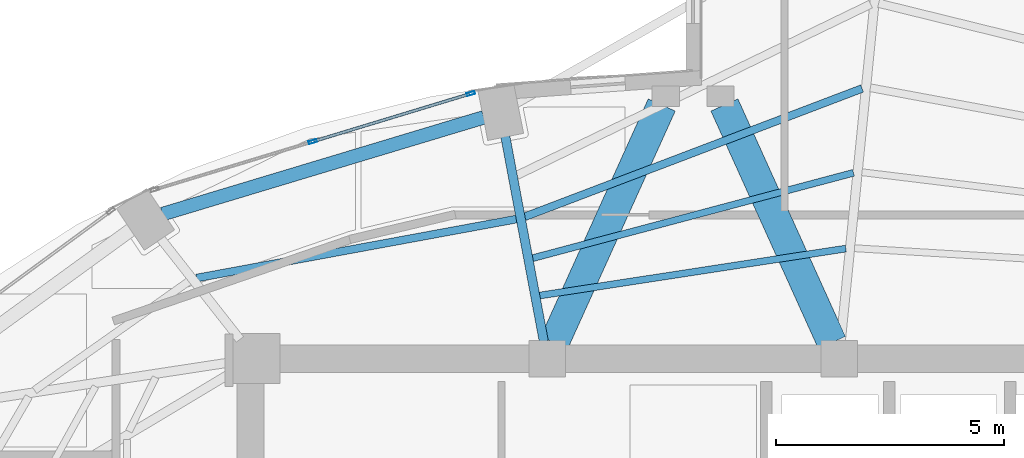
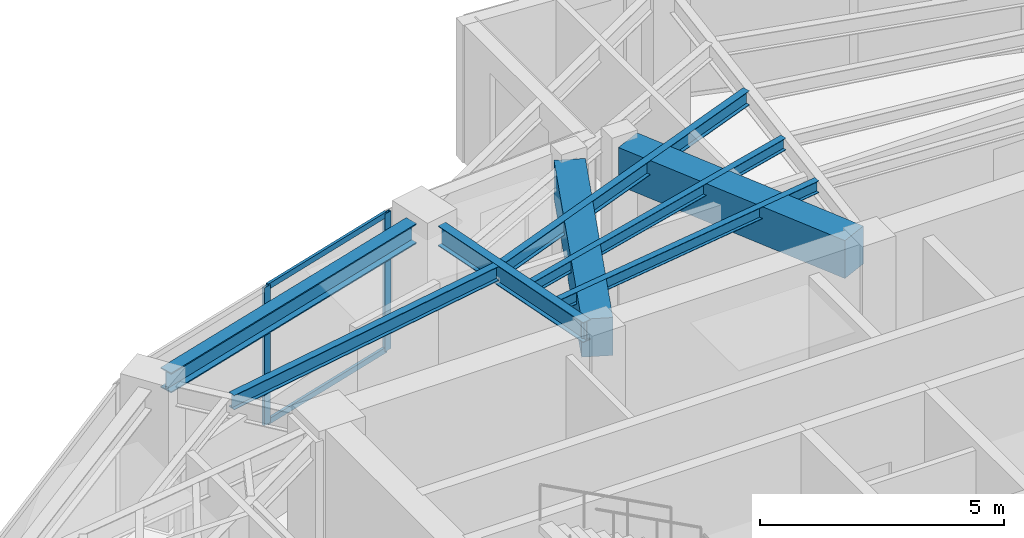
# One storey, part 11 of 22: 8 beams, 4 members, 1 element without a shape of its own.
"""IFC4 building model written with IfcOpenShell, lengths in metres."""

import ifcopenshell
import ifcopenshell.guid

model = None  # the IFC model being written
_history = None  # IfcOwnerHistory: only IFC2X3 demands one
_inside = {}  # id of a spatial element -> (the spatial element, [elements in it])
_under = {}  # id of a project, library or spatial element -> (it, [spatial elements below it])
_declared = {}  # id of a project -> (the project, [libraries it declares])
_typed = {}  # id of a type object -> (the type object, [elements of that type])
_made_of = {}  # id of a material, layer set ... -> (it, [elements and type objects made of it])


def new_model(schema):
    """Start an empty IFC model of exactly this schema.

    Asked for "IFC4X3", IfcOpenShell would pick the latest addendum, in which some entities
    have other attributes; the version numbers below select the first issue.
    IFC2X3 requires an IfcOwnerHistory on every rooted entity: one is made here for all.
    """
    global model, _history
    if schema == "IFC4X3":
        model = ifcopenshell.file(schema_version=(4, 3, 0, 0))
    else:
        model = ifcopenshell.file(schema=schema)
    _inside.clear()
    _under.clear()
    _declared.clear()
    _typed.clear()
    _made_of.clear()
    _history = None
    if model.schema == "IFC2X3":
        org = make("IfcOrganization", Name="unknown")
        user = make(
            "IfcPersonAndOrganization",
            ThePerson=make("IfcPerson", FamilyName="unknown"),
            TheOrganization=org,
        )
        app = make(
            "IfcApplication",
            ApplicationDeveloper=org,
            Version="unknown",
            ApplicationFullName="unknown",
            ApplicationIdentifier="unknown",
        )
        _history = make(
            "IfcOwnerHistory",
            OwningUser=user,
            OwningApplication=app,
            ChangeAction="ADDED",
            CreationDate=0,
        )
    return model


def make(cls, **values):
    """One entity of the class cls with the attributes given. An attribute that is None is left unset."""
    return model.create_entity(
        cls, **{name: value for name, value in values.items() if value is not None}
    )


def rooted(cls, **values):
    """An entity with a GlobalId (a new one), such as an element, a storey or a relation."""
    return make(cls, GlobalId=ifcopenshell.guid.new(), OwnerHistory=_history, **values)


def si_unit(unit_type, name, prefix=None):
    """IfcSIUnit, for example si_unit("LENGTHUNIT", "METRE", prefix="MILLI")."""
    return make("IfcSIUnit", UnitType=unit_type, Prefix=prefix, Name=name)


def assignment(units):
    """IfcUnitAssignment: the units of a project."""
    return None if units is None else make("IfcUnitAssignment", Units=units)


def point(xyz):
    """IfcCartesianPoint."""
    return None if xyz is None else make("IfcCartesianPoint", Coordinates=xyz)


def direction(xyz):
    """IfcDirection."""
    return None if xyz is None else make("IfcDirection", DirectionRatios=xyz)


def frame(location, z_axis=None, x_axis=None):
    """IfcAxis2Placement3D, a coordinate frame: its origin and axes. An axis left out is left unset."""
    return make(
        "IfcAxis2Placement3D",
        Location=point(location),
        Axis=direction(z_axis),
        RefDirection=direction(x_axis),
    )


def frame_2d(location, x_axis=None):
    """IfcAxis2Placement2D, a coordinate frame in the plane: its origin and x axis."""
    return make(
        "IfcAxis2Placement2D", Location=point(location), RefDirection=direction(x_axis)
    )


def origin():
    """The frame at (0, 0, 0) with its axes left unset."""
    return frame((0.0, 0.0, 0.0))


def origin_2d():
    """The frame at (0, 0) in the plane with its x axis left unset."""
    return frame_2d((0.0, 0.0))


def place(relative_to, where):
    """IfcLocalPlacement: puts the frame where relative to a parent placement (None: the world)."""
    return make(
        "IfcLocalPlacement", PlacementRelTo=relative_to, RelativePlacement=where
    )


def context(
    kind, dimensions, precision=None, world=None, true_north=None, identifier=None
):
    """IfcGeometricRepresentationContext, for example the 3D "Model" context."""
    return make(
        "IfcGeometricRepresentationContext",
        ContextIdentifier=identifier,
        ContextType=kind,
        CoordinateSpaceDimension=dimensions,
        Precision=precision,
        WorldCoordinateSystem=world,
        TrueNorth=true_north,
    )


def subcontext(parent, identifier, kind, view, scale=None):
    """IfcGeometricRepresentationSubContext, for example "Body" below "Model"."""
    return make(
        "IfcGeometricRepresentationSubContext",
        ContextIdentifier=identifier,
        ContextType=kind,
        ParentContext=parent,
        TargetScale=scale,
        TargetView=view,
    )


def project(units=None, contexts=None):
    """IfcProject with its units and contexts."""
    return rooted(
        "IfcProject",
        Name="project",
        RepresentationContexts=contexts,
        UnitsInContext=assignment(units),
    )


def spatial(cls, under=None, at=None, **own):
    """A site, building, storey or space (cls), placed at a placement, below another one or the project."""
    s = rooted(cls, ObjectPlacement=at, **own)
    if under is not None:
        _under.setdefault(under.id(), (under, []))[1].append(s)
    return s


def profile(cls, at=None, kind="AREA", **sizes):
    """A parametric profile (cls). Its sizes go by their IFC names, for example OverallWidth=200.0."""
    return make(cls, ProfileType=kind, Position=at, **sizes)


def rectangle(**sizes):
    """IfcRectangleProfileDef."""
    return profile("IfcRectangleProfileDef", **sizes)


def hollow_rectangle(**sizes):
    """IfcRectangleHollowProfileDef."""
    return profile("IfcRectangleHollowProfileDef", **sizes)


def i_section(**sizes):
    """IfcIShapeProfileDef."""
    return profile("IfcIShapeProfileDef", **sizes)


def extrude(swept, where, along, depth):
    """IfcExtrudedAreaSolid: the profile swept, set in the frame where, extruded along a direction by depth."""
    return make(
        "IfcExtrudedAreaSolid",
        SweptArea=swept,
        Position=where,
        ExtrudedDirection=direction(along),
        Depth=depth,
    )


def shape(context_of_items, identifier, shape_type, items):
    """IfcShapeRepresentation: the items that make up one representation, for example the "Body"."""
    return make(
        "IfcShapeRepresentation",
        ContextOfItems=context_of_items,
        RepresentationIdentifier=identifier,
        RepresentationType=shape_type,
        Items=items,
    )


def material(Name=None, Category=None):
    """IfcMaterial."""
    return make("IfcMaterial", Name=Name, Category=Category)


def layer(
    of_material, thickness, ventilated=None, Name=None, Category=None, Priority=None
):
    """IfcMaterialLayer: one layer of a wall or slab, of a material (None: an air gap)."""
    return make(
        "IfcMaterialLayer",
        Material=of_material,
        LayerThickness=thickness,
        IsVentilated=ventilated,
        Name=Name,
        Category=Category,
        Priority=Priority,
    )


def layer_set(layers, Name=None):
    """IfcMaterialLayerSet."""
    return make("IfcMaterialLayerSet", MaterialLayers=layers, LayerSetName=Name)


def material_profile(
    of_material, cross_section, Name=None, Category=None, Priority=None
):
    """IfcMaterialProfile: a cross section and its material."""
    return make(
        "IfcMaterialProfile",
        Name=Name,
        Material=of_material,
        Profile=cross_section,
        Priority=Priority,
        Category=Category,
    )


def profile_set(profiles, Name=None, composite=None):
    """IfcMaterialProfileSet."""
    return make(
        "IfcMaterialProfileSet",
        Name=Name,
        MaterialProfiles=profiles,
        CompositeProfile=composite,
    )


def made_of(thing, what):
    """Note that an element or type object is made of a material, layer set ...; save() writes the relation."""
    if what is not None:
        _made_of.setdefault(what.id(), (what, []))[1].append(thing)
    return thing


def type_object(cls, material=None, **own):
    """A type object (cls), such as IfcWallType, which elements share."""
    return made_of(rooted(cls, **own), material)


def element(
    cls,
    number,
    at=None,
    inside=None,
    cuts=None,
    type_object=None,
    material=None,
    context=None,
    identifier="Body",
    shape_type=None,
    held_by="IfcProductDefinitionShape",
    body=None,
    shapes=None,
    **own,
):
    """One element of the class cls, such as IfcWall. Its Tag is "e" and its number.

    at: its placement. inside: the storey or other place that contains it. cuts: it is an
    opening in that element (IfcRelVoidsElement). A single representation is given by context,
    identifier, shape_type and body (its items); several are given by shapes. held_by: the class
    of the entity that holds the representations. save() writes the other relations.
    """
    e = rooted(cls, Tag="e%d" % number, ObjectPlacement=at, **own)
    if body is not None:
        shapes = [shape(context, identifier, shape_type, body)]
    if shapes is not None:
        e.Representation = make(held_by, Representations=shapes)
    if inside is not None:
        _inside.setdefault(inside.id(), (inside, []))[1].append(e)
    if cuts is not None:
        rooted(
            "IfcRelVoidsElement", RelatingBuildingElement=cuts, RelatedOpeningElement=e
        )
    if type_object is not None:
        _typed.setdefault(type_object.id(), (type_object, []))[1].append(e)
    return made_of(e, material)


def aggregate(whole, parts):
    """IfcRelAggregates: a whole, such as a stair, and the parts it consists of."""
    return rooted("IfcRelAggregates", RelatingObject=whole, RelatedObjects=parts)


def save(model, path):
    """Write the relations noted so far, then the file.

    IfcRelAggregates (storeys below a building ...), IfcRelContainedInSpatialStructure (elements
    in a storey), IfcRelDefinesByType, IfcRelAssociatesMaterial and IfcRelDeclares: one each for
    every whole, place, type object, material and project.
    """
    for whole, parts in _under.values():
        aggregate(whole, parts)
    for where, things in _inside.values():
        rooted(
            "IfcRelContainedInSpatialStructure",
            RelatedElements=things,
            RelatingStructure=where,
        )
    for kind, things in _typed.values():
        rooted("IfcRelDefinesByType", RelatedObjects=things, RelatingType=kind)
    for what, things in _made_of.values():
        rooted("IfcRelAssociatesMaterial", RelatedObjects=things, RelatingMaterial=what)
    for by, libraries in _declared.values():
        rooted("IfcRelDeclares", RelatingContext=by, RelatedDefinitions=libraries)
    model.write(path)


model = new_model("IFC4")

# Units and contexts
model_context = context("Model", 3, precision=1e-05, world=origin(), true_north=direction((0.0, 1.0)))
body_context = subcontext(model_context, "Body", "Model", "MODEL_VIEW")
ifc_project = project(units=[si_unit("LENGTHUNIT", "METRE"), si_unit("AREAUNIT", "SQUARE_METRE"), si_unit("VOLUMEUNIT", "CUBIC_METRE"), si_unit("PLANEANGLEUNIT", "RADIAN"), si_unit("MASSUNIT", "GRAM", prefix="KILO")], contexts=[model_context])

# Site, building, storey
site_placement = place(None, origin())
site = spatial("IfcSite", under=ifc_project, at=site_placement, CompositionType="ELEMENT")
building_placement = place(site_placement, origin())
building = spatial("IfcBuilding", under=site, at=building_placement, Name="Lazwardi Medical Tower", CompositionType="ELEMENT")
storey_placement = place(building_placement, frame((0.0, 0.0, 227.6640625)))
storey = spatial("IfcBuildingStorey", under=building, at=storey_placement, Name="L59", CompositionType="ELEMENT", Elevation=227.6640625)

# Beams
ifc_material_1 = material(Name="Concrete C60/75", Category="concrete")
ifc_material_profile_1 = material_profile(ifc_material_1, rectangle(XDim=0.64990234375, YDim=0.949951171875, at=origin_2d()), Name="RC 650x950")
ifc_profile_set_1 = profile_set([ifc_material_profile_1], Name="Concrete C60/75")
beam_type_1 = type_object("IfcBeamType", Name="BM-CB-RC2", PredefinedType="LINTEL", material=ifc_profile_set_1)
for number, where, z_axis, x_axis, name in (
    (1, (32.95849609375, 35.95068359375, 2.972900390625), (0.412019279944, 0.911175127489, 0.0), (-0.911175127489, 0.412019279944, 0.0), "Core coupling lintel CB-02 PL1 L59"),
    (2, (39.04150390625, 35.95068359375, 2.972900390625), (-0.412019279944, 0.911175127489, 0.0), (-0.911175127489, -0.412019279944, 0.0), "Core coupling lintel CB-02 PL2 L59"),
):
    element("IfcBeam", number, at=place(storey_placement, frame(where, z_axis=z_axis, x_axis=x_axis)), inside=storey, type_object=beam_type_1, Name=name, PredefinedType="LINTEL", context=body_context, shape_type="SweptSolid", body=[
        extrude(rectangle(XDim=0.64990234375, YDim=0.949951171875, at=origin_2d()), origin(), (0.0, 0.0, 1.0), 5.7158203125),
    ])
ifc_material_2 = material(Name="Steel S355", Category="steel")
ifc_material_profile_2 = material_profile(ifc_material_2, i_section(OverallWidth=0.300048828125, OverallDepth=0.5, WebThickness=0.014404296875, FlangeThickness=0.028076171875, at=origin_2d()), Name="HEB 500")
ifc_profile_set_2 = profile_set([ifc_material_profile_2], Name="Steel S355")
beam_type_2 = type_object("IfcBeamType", Name="BM-RB-Z4", PredefinedType="BEAM", material=ifc_profile_set_2)
beam_1_placement = place(storey_placement, frame((31.41259765625, 40.885986328125, 3.197998046875), z_axis=(-0.957544311906, -0.288286126506, 0.0), x_axis=(0.288286126506, -0.957544311906, 0.0)))
element("IfcBeam", 3, at=beam_1_placement, inside=storey, type_object=beam_type_2, Name="Ring beam RB-05 B09 L59", PredefinedType="BEAM", context=body_context, shape_type="SweptSolid", body=[
    extrude(i_section(OverallWidth=0.300048828125, OverallDepth=0.5, WebThickness=0.014404296875, FlangeThickness=0.028076171875, at=origin_2d()), origin(), (0.0, 0.0, 1.0), 7.3515625),
])
ifc_material_profile_3 = material_profile(ifc_material_2, i_section(OverallWidth=0.199951171875, OverallDepth=0.5, WebThickness=0.01025390625, FlangeThickness=0.01611328125, at=origin_2d()), Name="IPE 500")
ifc_profile_set_3 = profile_set([ifc_material_profile_3], Name="Steel S355")
beam_type_3 = type_object("IfcBeamType", Name="BM-RG-W3", PredefinedType="BEAM", material=ifc_profile_set_3)
beam_2_placement = place(storey_placement, frame((31.884765625, 40.472412109375, 3.197998046875), z_axis=(0.184633463507, -0.982807450192, 0.0), x_axis=(0.982807450192, 0.184633463507, 0.0)))
element("IfcBeam", 4, at=beam_2_placement, inside=storey, type_object=beam_type_3, Name="Radial girder RG-04 R09 L59", PredefinedType="BEAM", context=body_context, shape_type="SweptSolid", body=[
    extrude(i_section(OverallWidth=0.199951171875, OverallDepth=0.5, WebThickness=0.01025390625, FlangeThickness=0.01611328125, at=origin_2d()), origin(), (0.0, 0.0, 1.0), 4.572509765625),
])
ifc_material_profile_4 = material_profile(ifc_material_2, i_section(OverallWidth=0.169921875, OverallDepth=0.360107421875, WebThickness=0.008056640625, FlangeThickness=0.0126953125, at=origin_2d()), Name="IPE 360")
ifc_profile_set_4 = profile_set([ifc_material_profile_4], Name="Steel S355")
beam_type_4 = type_object("IfcBeamType", Name="BM-SJ-02", PredefinedType="JOIST", material=ifc_profile_set_4)
beam_3_placement = place(storey_placement, frame((39.703125, 41.51904296875, 3.267822265625), z_axis=(-0.934714470268, -0.355399576633, 0.0), x_axis=(0.355399576633, -0.934714470268, 0.0)))
element("IfcBeam", 5, at=beam_3_placement, inside=storey, type_object=beam_type_4, Name="Secondary joist SJ-02 R2 B08 L59", PredefinedType="JOIST", context=body_context, shape_type="SweptSolid", body=[
    extrude(i_section(OverallWidth=0.169921875, OverallDepth=0.360107421875, WebThickness=0.008056640625, FlangeThickness=0.0126953125, at=origin_2d()), origin(), (0.0, 0.0, 1.0), 7.908203125),
])
beam_4_placement = place(storey_placement, frame((32.12890625, 38.65771484375, 3.267822265625), z_axis=(-0.983427965623, -0.181299300688, 0.0), x_axis=(0.181299300688, -0.983427965623, 0.0)))
element("IfcBeam", 6, at=beam_4_placement, inside=storey, type_object=beam_type_4, Name="Secondary joist SJ-02 R2 B09 L59", PredefinedType="JOIST", context=body_context, shape_type="SweptSolid", body=[
    extrude(i_section(OverallWidth=0.169921875, OverallDepth=0.360107421875, WebThickness=0.008056640625, FlangeThickness=0.0126953125, at=origin_2d()), origin(), (0.0, 0.0, 1.0), 7.127685546875),
])
ifc_material_profile_5 = material_profile(ifc_material_2, i_section(OverallWidth=0.14990234375, OverallDepth=0.300048828125, WebThickness=0.007080078125, FlangeThickness=0.0107421875, at=origin_2d()), Name="IPE 300")
ifc_profile_set_5 = profile_set([ifc_material_profile_5], Name="Steel S355")
beam_type_5 = type_object("IfcBeamType", Name="BM-SJ-03", PredefinedType="JOIST", material=ifc_profile_set_5)
beam_5_placement = place(storey_placement, frame((39.515380859375, 39.671875, 3.2978515625), z_axis=(-0.966369007826, -0.257159368316, 0.0), x_axis=(0.257159368316, -0.966369007826, 0.0)))
element("IfcBeam", 7, at=beam_5_placement, inside=storey, type_object=beam_type_5, Name="Secondary joist SJ-03 R3 B08 L59", PredefinedType="JOIST", context=body_context, shape_type="SweptSolid", body=[
    extrude(i_section(OverallWidth=0.14990234375, OverallDepth=0.300048828125, WebThickness=0.007080078125, FlangeThickness=0.0107421875, at=origin_2d()), origin(), (0.0, 0.0, 1.0), 7.27685546875),
])
beam_6_placement = place(storey_placement, frame((39.347412109375, 38.010986328125, 3.2978515625), z_axis=(-0.988433562862, -0.151654514629, 0.0), x_axis=(0.151654514629, -0.988433562862, 0.0)))
element("IfcBeam", 8, at=beam_6_placement, inside=storey, type_object=beam_type_5, Name="Secondary joist SJ-03 R4 B08 L59", PredefinedType="JOIST", context=body_context, shape_type="SweptSolid", body=[
    extrude(i_section(OverallWidth=0.14990234375, OverallDepth=0.300048828125, WebThickness=0.007080078125, FlangeThickness=0.0107421875, at=origin_2d()), origin(), (0.0, 0.0, 1.0), 6.788818359375),
])

# Curtain wall, members
ifc_material_3 = material(Name="Anodised bronze aluminium and solar control glazing", Category="aluminium")
ifc_layer = layer(ifc_material_3, 0.18994140625)
ifc_layer_set = layer_set([ifc_layer], Name="Anodised bronze aluminium and solar control glazing")
curtain_wall_type = type_object("IfcCurtainWallType", Name="CW-SYS-04", PredefinedType="NOTDEFINED", material=ifc_layer_set)
curtain_wall_placement = place(storey_placement, origin())
curtain_wall = element("IfcCurtainWall", 9, at=curtain_wall_placement, inside=storey, type_object=curtain_wall_type, Name="L59 Unitised bronze curtain wall CW-04", PredefinedType="NOTDEFINED")
ifc_material_4 = material(Name="Anodised bronze aluminium", Category="aluminium")
ifc_material_profile_6 = material_profile(ifc_material_4, hollow_rectangle(XDim=0.06494140625, YDim=0.179931640625, WallThickness=0.00390625, at=origin_2d()), Name="ALU-MULLION 180x65x4")
ifc_profile_set_6 = profile_set([ifc_material_profile_6], Name="Anodised bronze aluminium")
member_type_1 = type_object("IfcMemberType", Name="CW-MUL-03", PredefinedType="MULLION", material=ifc_profile_set_6)
member_1_placement = place(storey_placement, frame((31.126953125, 41.406982421875, 0.0), z_axis=(0.0, 0.0, 1.0), x_axis=(0.290581889515, -0.956850126972, 0.0)))
member_1 = element("IfcMember", 10, at=member_1_placement, type_object=member_type_1, Name="CW-04 mullion 1", PredefinedType="MULLION", context=body_context, shape_type="SweptSolid", body=[
    extrude(hollow_rectangle(XDim=0.06494140625, YDim=0.179931640625, WallThickness=0.00390625, at=origin_2d()), origin(), (0.0, 0.0, 1.0), 3.447998046875),
])
member_2_placement = place(storey_placement, frame((27.66357421875, 40.355224609375, 0.0), z_axis=(0.0, 0.0, 1.0), x_axis=(0.290581889515, -0.956850126972, 0.0)))
member_2 = element("IfcMember", 11, at=member_2_placement, type_object=member_type_1, Name="CW-04 mullion 2", PredefinedType="MULLION", context=body_context, shape_type="SweptSolid", body=[
    extrude(hollow_rectangle(XDim=0.06494140625, YDim=0.179931640625, WallThickness=0.00390625, at=origin_2d()), origin(), (0.0, 0.0, 1.0), 3.447998046875),
])
ifc_material_profile_7 = material_profile(ifc_material_4, hollow_rectangle(XDim=0.06494140625, YDim=0.139892578125, WallThickness=0.00341796875, at=origin_2d()), Name="ALU-TRANSOM 140x65x3.5")
ifc_profile_set_7 = profile_set([ifc_material_profile_7], Name="Anodised bronze aluminium")
member_type_2 = type_object("IfcMemberType", Name="CW-TRN-03", PredefinedType="USERDEFINED", material=ifc_profile_set_7)
member_3_placement = place(storey_placement, frame((31.095703125, 41.397705078125, 0.032470703125), z_axis=(-0.956843409009, -0.290604010015, 0.0), x_axis=(0.290604010015, -0.956843409009, 0.0)))
member_3 = element("IfcMember", 12, at=member_3_placement, type_object=member_type_2, Name="CW-04 transom 1.1", ObjectType="TRANSOM", PredefinedType="USERDEFINED", context=body_context, shape_type="SweptSolid", body=[
    extrude(hollow_rectangle(XDim=0.06494140625, YDim=0.139892578125, WallThickness=0.00341796875, at=origin_2d()), origin(), (0.0, 0.0, 1.0), 3.554443359375),
])
member_4_placement = place(storey_placement, frame((31.095703125, 41.397705078125, 3.41552734375), z_axis=(-0.956843409009, -0.290604010015, 0.0), x_axis=(0.290604010015, -0.956843409009, 0.0)))
member_4 = element("IfcMember", 13, at=member_4_placement, type_object=member_type_2, Name="CW-04 transom 1.2", ObjectType="TRANSOM", PredefinedType="USERDEFINED", context=body_context, shape_type="SweptSolid", body=[
    extrude(hollow_rectangle(XDim=0.06494140625, YDim=0.139892578125, WallThickness=0.00341796875, at=origin_2d()), origin(), (0.0, 0.0, 1.0), 3.554443359375),
])
aggregate(curtain_wall, [member_1, member_2, member_3, member_4])

save(model, "model.ifc")
